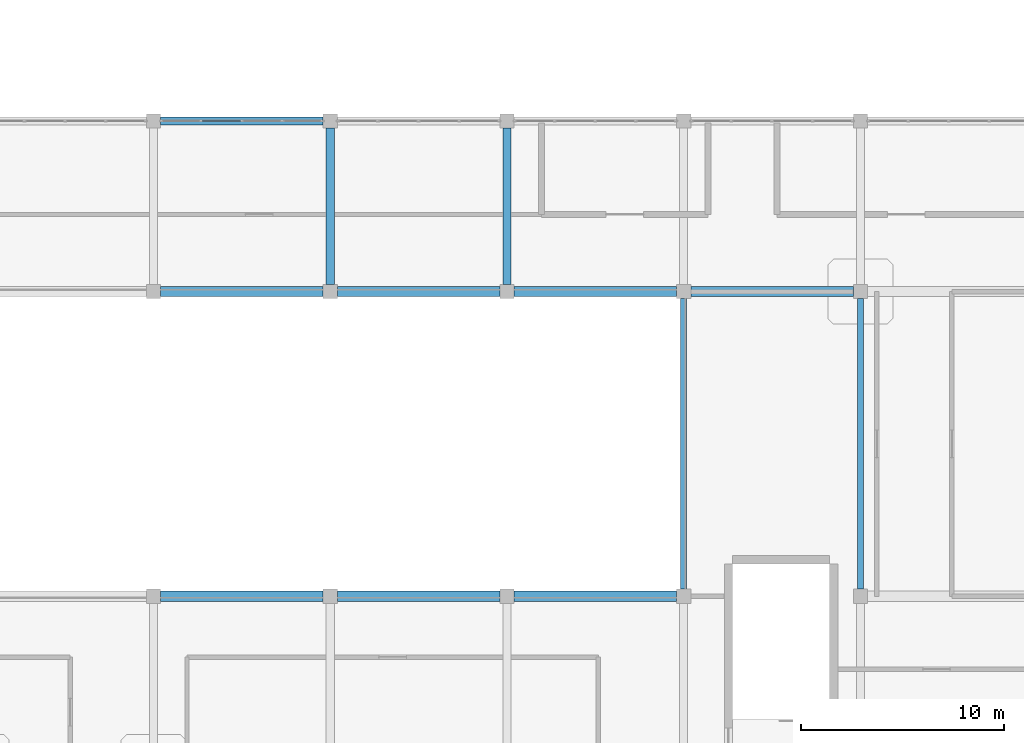
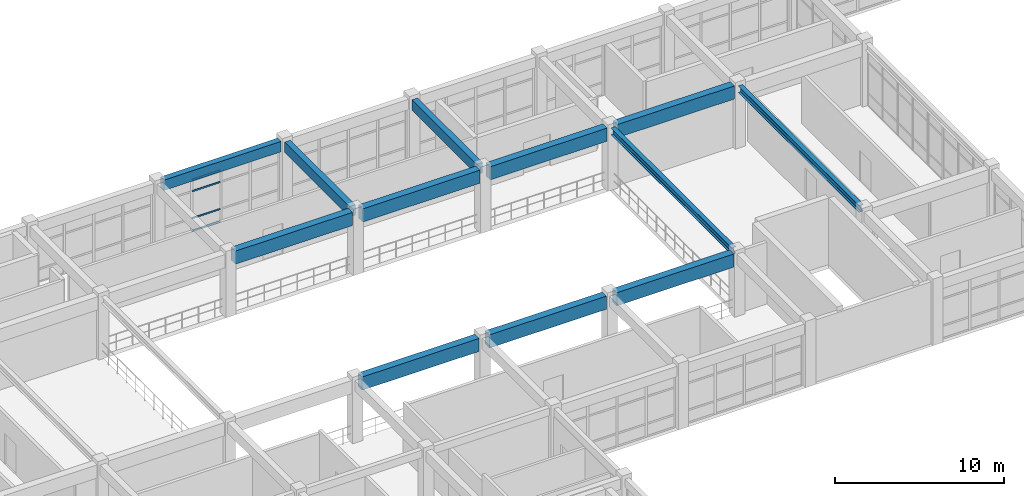
# One storey, part 31 of 64: 12 beams, 4 members, 1 element without a shape of its own.
"""IFC4 building model written with IfcOpenShell, lengths in metres."""

from ifc_helpers import new_model, si_unit, derived_unit, direction, frame, origin, origin_2d, place, context, subcontext, project, spatial, rectangle, hollow_rectangle, i_section, extrude, material, layer, layer_set, material_profile, profile_set, type_object, element, aggregate, save


model = new_model("IFC4")

# Units and contexts
model_context = context("Model", 3, precision=1e-05, world=origin(), true_north=direction((0.0, 1.0)))
body_context = subcontext(model_context, "Body", "Model", "MODEL_VIEW")
ifc_project = project(units=[si_unit("LENGTHUNIT", "METRE"), si_unit("AREAUNIT", "SQUARE_METRE"), si_unit("VOLUMEUNIT", "CUBIC_METRE"), si_unit("PLANEANGLEUNIT", "RADIAN"), si_unit("MASSUNIT", "GRAM", prefix="KILO"), derived_unit("THERMALTRANSMITTANCEUNIT", [(si_unit("MASSUNIT", "GRAM", prefix="KILO"), 1), (si_unit("TIMEUNIT", "SECOND"), -3), (si_unit("THERMODYNAMICTEMPERATUREUNIT", "KELVIN"), -1)])], contexts=[model_context])

# Site, building, storey
site_placement = place(None, origin())
site = spatial("IfcSite", under=ifc_project, at=site_placement, CompositionType="ELEMENT")
building_placement = place(site_placement, origin())
building = spatial("IfcBuilding", under=site, at=building_placement, Name="Qinzheling Arcade Emporium", CompositionType="ELEMENT")
storey_placement = place(building_placement, frame((0.0, 0.0, 31.5)))
storey = spatial("IfcBuildingStorey", under=building, at=storey_placement, Name="L07", CompositionType="ELEMENT", Elevation=31.5)

# Beams
ifc_material_1 = material(Name="Structural steel Q355B", Category="steel")
ifc_material_profile_1 = material_profile(ifc_material_1, i_section(OverallWidth=0.300048828125, OverallDepth=0.488037109375, WebThickness=0.010986328125, FlangeThickness=0.01806640625, FilletRadius=0.02197265625, at=origin_2d()), Name="HM 488x300x11x18", Category="steel")
ifc_profile_set_1 = profile_set([ifc_material_profile_1], Name="Structural steel Q355B")
beam_type_1 = type_object("IfcBeamType", Name="Atrium Bridge Girder HM488 Q355B", PredefinedType="USERDEFINED", material=ifc_profile_set_1)
for number, where, z_axis, x_axis, name in (
    (1, (87.0, 50.75, 4.27587890625), (0.0, 1.0, 0.0), (-1.0, 0.0, 0.0), "Beam BM-L07-Y-11-G"),
    (2, (95.699951171875, 50.75, 4.27587890625), (0.0, 1.0, 0.0), (-1.0, 0.0, 0.0), "Beam BM-L07-Y-12-G"),
):
    element("IfcBeam", number, at=place(storey_placement, frame(where, z_axis=z_axis, x_axis=x_axis)), inside=storey, type_object=beam_type_1, Name=name, ObjectType="TRANSFER_GIRDER", PredefinedType="USERDEFINED", context=body_context, shape_type="SweptSolid", body=[
        extrude(i_section(OverallWidth=0.300048828125, OverallDepth=0.488037109375, WebThickness=0.010986328125, FlangeThickness=0.01806640625, FilletRadius=0.02197265625, at=origin_2d()), origin(), (0.0, 0.0, 1.0), 14.300048828125),
    ])

# Curtain wall, members
ifc_material_2 = material(Name="Anodised aluminium and solar-control double glazing", Category="aluminium")
ifc_layer = layer(ifc_material_2, 0.159912109375, Name="Anodised aluminium and solar-control double glazing", Category="aluminium")
ifc_layer_set = layer_set([ifc_layer], Name="Anodised aluminium and solar-control double glazing")
curtain_wall_type = type_object("IfcCurtainWallType", Name="Atrium Clerestory Curtain Wall", PredefinedType="NOTDEFINED", material=ifc_layer_set)
curtain_wall_placement = place(storey_placement, origin())
curtain_wall = element("IfcCurtainWall", 3, at=curtain_wall_placement, inside=storey, type_object=curtain_wall_type, Name="Curtain Wall CW-L07-419", PredefinedType="NOTDEFINED")
ifc_material_3 = material(Name="Anodised aluminium 6063-T6", Category="aluminium")
ifc_material_profile_2 = material_profile(ifc_material_3, hollow_rectangle(XDim=0.06005859375, YDim=0.1201171875, WallThickness=0.00390625, InnerFilletRadius=0.00390625, OuterFilletRadius=0.008056640625, at=origin_2d()), Name="RHS 120x60x4", Category="aluminium")
ifc_profile_set_2 = profile_set([ifc_material_profile_2], Name="Anodised aluminium 6063-T6")
member_type = type_object("IfcMemberType", Name="Curtain Wall Transom RHS120x60", PredefinedType="USERDEFINED", material=ifc_profile_set_2)
member_1_placement = place(storey_placement, frame((63.281005859375, 73.800048828125, 0.030029296875), z_axis=(1.0, 0.0, 0.0), x_axis=(0.0, 1.0, 0.0)))
member_1 = element("IfcMember", 4, at=member_1_placement, type_object=member_type, Name="CW03 transom 2.1", ObjectType="TRANSOM", PredefinedType="USERDEFINED", context=body_context, shape_type="SweptSolid", body=[
    extrude(hollow_rectangle(XDim=0.06005859375, YDim=0.1201171875, WallThickness=0.00390625, InnerFilletRadius=0.00390625, OuterFilletRadius=0.008056640625, at=origin_2d()), origin(), (0.0, 0.0, 1.0), 1.93896484375),
])
member_2_placement = place(storey_placement, frame((63.281005859375, 73.800048828125, 0.949951171875), z_axis=(1.0, 0.0, 0.0), x_axis=(0.0, 1.0, 0.0)))
member_2 = element("IfcMember", 5, at=member_2_placement, type_object=member_type, Name="CW03 transom 2.2", ObjectType="TRANSOM", PredefinedType="USERDEFINED", context=body_context, shape_type="SweptSolid", body=[
    extrude(hollow_rectangle(XDim=0.06005859375, YDim=0.1201171875, WallThickness=0.00390625, InnerFilletRadius=0.00390625, OuterFilletRadius=0.008056640625, at=origin_2d()), origin(), (0.0, 0.0, 1.0), 1.93896484375),
])
member_3_placement = place(storey_placement, frame((63.281005859375, 73.800048828125, 2.905029296875), z_axis=(1.0, 0.0, 0.0), x_axis=(0.0, 1.0, 0.0)))
member_3 = element("IfcMember", 6, at=member_3_placement, type_object=member_type, Name="CW03 transom 2.3", ObjectType="TRANSOM", PredefinedType="USERDEFINED", context=body_context, shape_type="SweptSolid", body=[
    extrude(hollow_rectangle(XDim=0.06005859375, YDim=0.1201171875, WallThickness=0.00390625, InnerFilletRadius=0.00390625, OuterFilletRadius=0.008056640625, at=origin_2d()), origin(), (0.0, 0.0, 1.0), 1.93896484375),
])
member_4_placement = place(storey_placement, frame((63.281005859375, 73.800048828125, 3.72509765625), z_axis=(1.0, 0.0, 0.0), x_axis=(0.0, 1.0, 0.0)))
member_4 = element("IfcMember", 7, at=member_4_placement, type_object=member_type, Name="CW03 transom 2.4", ObjectType="TRANSOM", PredefinedType="USERDEFINED", context=body_context, shape_type="SweptSolid", body=[
    extrude(hollow_rectangle(XDim=0.06005859375, YDim=0.1201171875, WallThickness=0.00390625, InnerFilletRadius=0.00390625, OuterFilletRadius=0.008056640625, at=origin_2d()), origin(), (0.0, 0.0, 1.0), 1.93896484375),
])
aggregate(curtain_wall, [member_1, member_2, member_3, member_4])

# Beams
ifc_material_4 = material(Name="Concrete C40", Category="concrete")
ifc_material_profile_3 = material_profile(ifc_material_4, rectangle(XDim=0.39990234375, YDim=0.75, at=origin_2d()), Name="RC 400x750", Category="concrete")
ifc_profile_set_3 = profile_set([ifc_material_profile_3], Name="Concrete C40")
beam_type_2 = type_object("IfcBeamType", Name="RC Interior Tie Beam 400x750 C40", PredefinedType="BEAM", material=ifc_profile_set_3)
beam_placement = place(storey_placement, frame((61.25, 73.800048828125, 4.14501953125), z_axis=(1.0, 0.0, 0.0), x_axis=(0.0, 1.0, 0.0)))
element("IfcBeam", 8, at=beam_placement, inside=storey, type_object=beam_type_2, Name="Beam BM-L07-X-J-8", PredefinedType="BEAM", context=body_context, shape_type="SweptSolid", body=[
    extrude(rectangle(XDim=0.39990234375, YDim=0.75, at=origin_2d()), origin(), (0.0, 0.0, 1.0), 8.0),
])
for number, where, z_axis, x_axis, name in (
    (9, (69.60009765625, 65.75, 4.14501953125), (0.0, 1.0, 0.0), (-1.0, 0.0, 0.0), "Beam BM-L07-Y-9-H"),
    (10, (78.300048828125, 65.75, 4.14501953125), (0.0, 1.0, 0.0), (-1.0, 0.0, 0.0), "Beam BM-L07-Y-10-H"),
):
    element("IfcBeam", number, at=place(storey_placement, frame(where, z_axis=z_axis, x_axis=x_axis)), inside=storey, type_object=beam_type_2, Name=name, PredefinedType="BEAM", context=body_context, shape_type="SweptSolid", body=[
        extrude(rectangle(XDim=0.39990234375, YDim=0.75, at=origin_2d()), origin(), (0.0, 0.0, 1.0), 7.699951171875),
    ])
ifc_material_profile_4 = material_profile(ifc_material_4, rectangle(XDim=0.5, YDim=0.949951171875, at=origin_2d()), Name="RC 500x950", Category="concrete")
ifc_profile_set_4 = profile_set([ifc_material_profile_4], Name="Concrete C40")
beam_type_3 = type_object("IfcBeamType", Name="RC Vault Ring Beam 500x950 C40", PredefinedType="BEAM", material=ifc_profile_set_4)
for number, where, z_axis, x_axis, name in (
    (11, (61.25, 50.39990234375, 4.044921875), (1.0, 0.0, 0.0), (0.0, 1.0, 0.0), "Beam BM-L07-X-G-8"),
    (12, (69.949951171875, 50.39990234375, 4.044921875), (1.0, 0.0, 0.0), (0.0, 1.0, 0.0), "Beam BM-L07-X-G-9"),
    (13, (78.64990234375, 50.39990234375, 4.044921875), (1.0, 0.0, 0.0), (0.0, 1.0, 0.0), "Beam BM-L07-X-G-10"),
    (14, (61.25, 65.39990234375, 4.044921875), (1.0, 0.0, 0.0), (0.0, 1.0, 0.0), "Beam BM-L07-X-H-8"),
    (15, (69.949951171875, 65.39990234375, 4.044921875), (1.0, 0.0, 0.0), (0.0, 1.0, 0.0), "Beam BM-L07-X-H-9"),
    (16, (78.64990234375, 65.39990234375, 4.044921875), (1.0, 0.0, 0.0), (0.0, 1.0, 0.0), "Beam BM-L07-X-H-10"),
    (17, (87.35009765625, 65.39990234375, 4.044921875), (1.0, 0.0, 0.0), (0.0, 1.0, 0.0), "Beam BM-L07-X-H-11"),
):
    element("IfcBeam", number, at=place(storey_placement, frame(where, z_axis=z_axis, x_axis=x_axis)), inside=storey, type_object=beam_type_3, Name=name, PredefinedType="BEAM", context=body_context, shape_type="SweptSolid", body=[
        extrude(rectangle(XDim=0.5, YDim=0.949951171875, at=origin_2d()), origin(), (0.0, 0.0, 1.0), 8.0),
    ])

save(model, "model.ifc")
